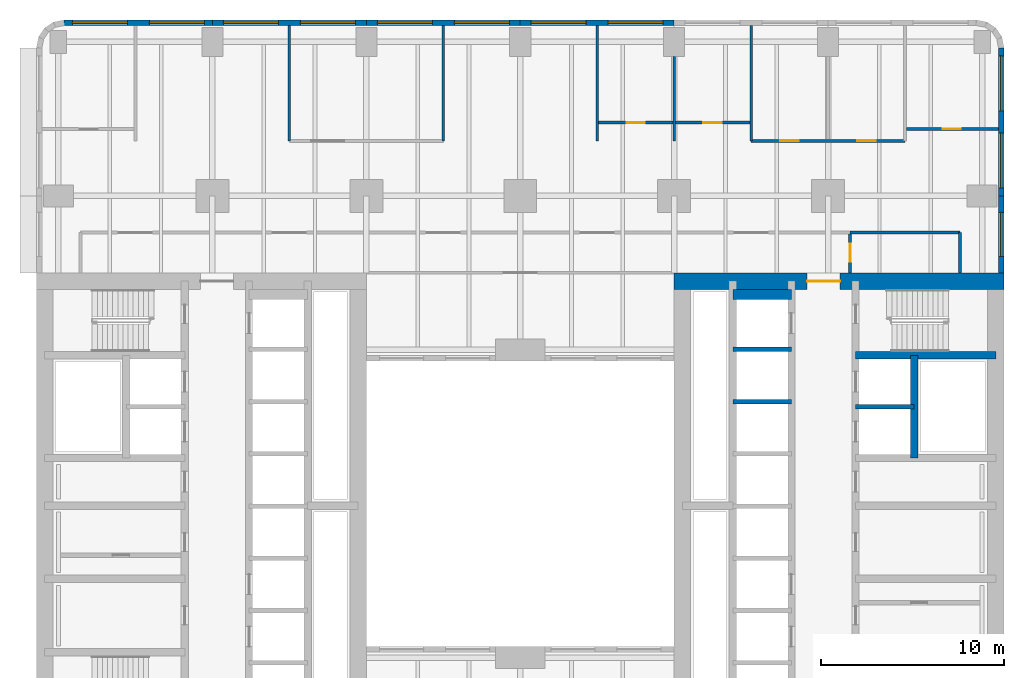
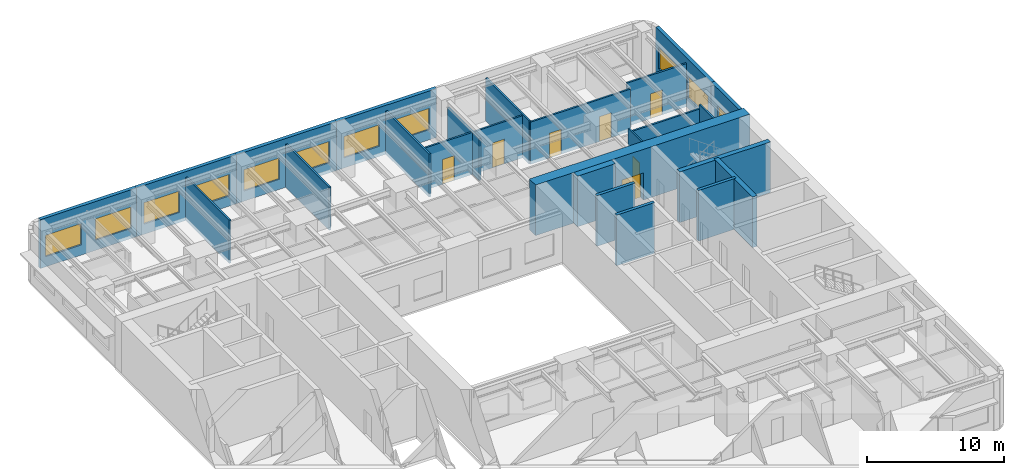
# One storey, part 7 of 14: 25 walls, 11 windows, 7 doors, 18 openings.
"""IFC4 building model written with IfcOpenShell, lengths in metres."""

from ifc_helpers import new_model, si_unit, direction, frame, frame_2d, origin, place, context, subcontext, project, spatial, rectangle, extrude, material, layer, layer_set, type_object, element, fill, save


model = new_model("IFC4")

# Units and contexts
model_context = context("Model", 3, precision=1e-05, world=origin(), true_north=direction((0.0, 1.0)))
body_context = subcontext(model_context, "Body", "Model", "MODEL_VIEW")
ifc_project = project(units=[si_unit("LENGTHUNIT", "METRE"), si_unit("AREAUNIT", "SQUARE_METRE"), si_unit("VOLUMEUNIT", "CUBIC_METRE"), si_unit("PLANEANGLEUNIT", "RADIAN"), si_unit("MASSUNIT", "GRAM", prefix="KILO")], contexts=[model_context])

# Site, building, storey
site_placement = place(None, origin())
site = spatial("IfcSite", under=ifc_project, at=site_placement, CompositionType="ELEMENT")
building_placement = place(site_placement, origin())
building = spatial("IfcBuilding", under=site, at=building_placement, Name="Claustro Exchange Tower", CompositionType="ELEMENT")
storey_placement = place(building_placement, frame((0.0, 0.0, 41.39990234375)))
storey = spatial("IfcBuildingStorey", under=building, at=storey_placement, Name="L09", CompositionType="ELEMENT", Elevation=41.39990234375)

# Walls
ifc_material_1 = material(Name="Gypsum board on steel studs", Category="steel")
ifc_layer_1 = layer(ifc_material_1, 0.14990234375)
ifc_layer_set_1 = layer_set([ifc_layer_1], Name="Gypsum board on steel studs")
wall_type_1 = type_object("IfcWallType", Name="P1 150 plasterboard partition", PredefinedType="PARTITIONING", material=ifc_layer_set_1)
for number, where, z_axis, x_axis, name in (
    (1, (12.60009765625, 45.0, 0.0), (0.0, 0.0, 1.0), (0.0, 1.0, 0.0), "Partition P1 L09"),
    (2, (21.0, 45.0, 0.0), (0.0, 0.0, 1.0), (0.0, 1.0, 0.0), "Partition P1 L09"),
):
    element("IfcWall", number, at=place(storey_placement, frame(where, z_axis=z_axis, x_axis=x_axis)), inside=storey, type_object=wall_type_1, Name=name, PredefinedType="PARTITIONING", context=body_context, shape_type="SweptSolid", body=[
        extrude(rectangle(XDim=6.302001953125, YDim=0.14990234375, at=frame_2d((3.15087890625, 0.0))), origin(), (0.0, 0.0, 1.0), 3.840087890625),
    ])

# Wall, opening, door
wall_1_placement = place(storey_placement, frame((29.47412109375, 46.0, 0.0), z_axis=(0.0, 0.0, 1.0), x_axis=(1.0, 0.0, 0.0)))
wall_1 = element("IfcWall", 3, at=wall_1_placement, inside=storey, type_object=wall_type_1, Name="Partition P1 L09", PredefinedType="PARTITIONING", context=body_context, shape_type="SweptSolid", body=[
    extrude(rectangle(XDim=4.0517578125, YDim=0.14990234375, at=frame_2d((2.02587890625, 0.0))), origin(), (0.0, 0.0, 1.0), 3.739990234375),
])
opening_1_placement = place(wall_1_placement, frame((1.52587890625, 0.0, 0.0)))
opening_1 = element("IfcOpeningElement", 4, at=opening_1_placement, cuts=wall_1, Name="Opening D1", PredefinedType="OPENING", context=body_context, shape_type="SweptSolid", body=[
    extrude(rectangle(XDim=1.0, YDim=2.199951171875, at=frame_2d((0.5, 1.10009765625))), frame((0.0, 0.0849609375, 0.0), z_axis=(0.0, -1.0, 0.0), x_axis=(1.0, 0.0, 0.0)), (0.0, 0.0, 1.0), 0.169921875),
])
ifc_material_2 = material(Name="Timber door, oak veneer", Category="wood")
door_type_1 = type_object("IfcDoorType", Name="D1 1000 x 2200 single door", OperationType="SINGLE_SWING_LEFT", PredefinedType="DOOR", material=ifc_material_2)
door_1_placement = place(opening_1_placement, origin())
door_1 = element("IfcDoor", 5, at=door_1_placement, inside=storey, type_object=door_type_1, Name="Door D1 L09", OperationType="SINGLE_SWING_RIGHT", OverallHeight=2.199951171875, OverallWidth=1.0, PredefinedType="DOOR", context=body_context, shape_type="SweptSolid", body=[
    extrude(rectangle(XDim=1.0, YDim=2.199951171875, at=frame_2d((0.5, 1.10009765625))), frame((0.0, 0.02490234375, 0.0), z_axis=(0.0, -1.0, 0.0), x_axis=(1.0, 0.0, 0.0)), (0.0, 0.0, 1.0), 0.050048828125),
])
fill(opening_1, door_1)

wall_2_placement = place(storey_placement, frame((33.674072265625, 46.0, 0.0), z_axis=(0.0, 0.0, 1.0), x_axis=(1.0, 0.0, 0.0)))
wall_2 = element("IfcWall", 6, at=wall_2_placement, inside=storey, type_object=wall_type_1, Name="Partition P1 L09", PredefinedType="PARTITIONING", context=body_context, shape_type="SweptSolid", body=[
    extrude(rectangle(XDim=4.052001953125, YDim=0.14990234375, at=frame_2d((2.02587890625, 0.0))), origin(), (0.0, 0.0, 1.0), 3.739990234375),
])
opening_2_placement = place(wall_2_placement, frame((1.52587890625, 0.0, 0.0)))
opening_2 = element("IfcOpeningElement", 7, at=opening_2_placement, cuts=wall_2, Name="Opening D1", PredefinedType="OPENING", context=body_context, shape_type="SweptSolid", body=[
    extrude(rectangle(XDim=1.0, YDim=2.199951171875, at=frame_2d((0.5, 1.10009765625))), frame((0.0, 0.0849609375, 0.0), z_axis=(0.0, -1.0, 0.0), x_axis=(1.0, 0.0, 0.0)), (0.0, 0.0, 1.0), 0.169921875),
])
door_2_placement = place(opening_2_placement, origin())
door_2 = element("IfcDoor", 8, at=door_2_placement, inside=storey, type_object=door_type_1, Name="Door D1 L09", OperationType="SINGLE_SWING_RIGHT", OverallHeight=2.199951171875, OverallWidth=1.0, PredefinedType="DOOR", context=body_context, shape_type="SweptSolid", body=[
    extrude(rectangle(XDim=1.0, YDim=2.199951171875, at=frame_2d((0.5, 1.10009765625))), frame((0.0, 0.02490234375, 0.0), z_axis=(0.0, -1.0, 0.0), x_axis=(1.0, 0.0, 0.0)), (0.0, 0.0, 1.0), 0.050048828125),
])
fill(opening_2, door_2)

wall_3_placement = place(storey_placement, frame((46.27392578125, 45.64990234375, 0.0), z_axis=(0.0, 0.0, 1.0), x_axis=(1.0, 0.0, 0.0)))
wall_3 = element("IfcWall", 9, at=wall_3_placement, inside=storey, type_object=wall_type_1, Name="Partition P1 L09", PredefinedType="PARTITIONING", context=body_context, shape_type="SweptSolid", body=[
    extrude(rectangle(XDim=5.028076171875, YDim=0.14990234375, at=frame_2d((2.51416015625, 0.0))), origin(), (0.0, 0.0, 1.0), 3.840087890625),
])
opening_3_placement = place(wall_3_placement, frame((1.97607421875, 0.0, 0.0)))
opening_3 = element("IfcOpeningElement", 10, at=opening_3_placement, cuts=wall_3, Name="Opening D1", PredefinedType="OPENING", context=body_context, shape_type="SweptSolid", body=[
    extrude(rectangle(XDim=1.0, YDim=2.199951171875, at=frame_2d((0.5, 1.10009765625))), frame((0.0, 0.0849609375, 0.0), z_axis=(0.0, -1.0, 0.0), x_axis=(1.0, 0.0, 0.0)), (0.0, 0.0, 1.0), 0.169921875),
])
door_3_placement = place(opening_3_placement, origin())
door_3 = element("IfcDoor", 11, at=door_3_placement, inside=storey, type_object=door_type_1, Name="Door D1 L09", OperationType="SINGLE_SWING_LEFT", OverallHeight=2.199951171875, OverallWidth=1.0, PredefinedType="DOOR", context=body_context, shape_type="SweptSolid", body=[
    extrude(rectangle(XDim=1.0, YDim=2.199951171875, at=frame_2d((0.5, 1.10009765625))), frame((0.0, 0.02490234375, 0.0), z_axis=(0.0, -1.0, 0.0), x_axis=(1.0, 0.0, 0.0)), (0.0, 0.0, 1.0), 0.050048828125),
])
fill(opening_3, door_3)

# Wall, openings, doors
wall_4_placement = place(storey_placement, frame((37.800048828125, 45.0, 0.0), z_axis=(0.0, 0.0, 1.0), x_axis=(1.0, 0.0, 0.0)))
wall_4 = element("IfcWall", 12, at=wall_4_placement, inside=storey, type_object=wall_type_1, Name="Partition P1 L09", PredefinedType="PARTITIONING", context=body_context, shape_type="SweptSolid", body=[
    extrude(rectangle(XDim=8.39990234375, YDim=0.14990234375, at=frame_2d((4.199951171875, 0.0))), origin(), (0.0, 0.0, 1.0), 3.739990234375),
])
opening_4_placement = place(wall_4_placement, frame((1.60009765625, 0.0, 0.0)))
opening_4 = element("IfcOpeningElement", 13, at=opening_4_placement, cuts=wall_4, Name="Opening D1", PredefinedType="OPENING", context=body_context, shape_type="SweptSolid", body=[
    extrude(rectangle(XDim=1.0, YDim=2.199951171875, at=frame_2d((0.5, 1.10009765625))), frame((0.0, 0.0849609375, 0.0), z_axis=(0.0, -1.0, 0.0), x_axis=(1.0, 0.0, 0.0)), (0.0, 0.0, 1.0), 0.169921875),
])
opening_5_placement = place(wall_4_placement, frame((5.800048828125, 0.0, 0.0)))
opening_5 = element("IfcOpeningElement", 14, at=opening_5_placement, cuts=wall_4, Name="Opening D1", PredefinedType="OPENING", context=body_context, shape_type="SweptSolid", body=[
    extrude(rectangle(XDim=1.0, YDim=2.199951171875, at=frame_2d((0.5, 1.10009765625))), frame((0.0, 0.0849609375, 0.0), z_axis=(0.0, -1.0, 0.0), x_axis=(1.0, 0.0, 0.0)), (0.0, 0.0, 1.0), 0.169921875),
])
door_4_placement = place(opening_4_placement, origin())
door_4 = element("IfcDoor", 15, at=door_4_placement, inside=storey, type_object=door_type_1, Name="Door D1 L09", OperationType="SINGLE_SWING_LEFT", OverallHeight=2.199951171875, OverallWidth=1.0, PredefinedType="DOOR", context=body_context, shape_type="SweptSolid", body=[
    extrude(rectangle(XDim=1.0, YDim=2.199951171875, at=frame_2d((0.5, 1.10009765625))), frame((0.0, 0.02490234375, 0.0), z_axis=(0.0, -1.0, 0.0), x_axis=(1.0, 0.0, 0.0)), (0.0, 0.0, 1.0), 0.050048828125),
])
fill(opening_4, door_4)
door_5_placement = place(opening_5_placement, origin())
door_5 = element("IfcDoor", 16, at=door_5_placement, inside=storey, type_object=door_type_1, Name="Door D1 L09", OperationType="SINGLE_SWING_LEFT", OverallHeight=2.199951171875, OverallWidth=1.0, PredefinedType="DOOR", context=body_context, shape_type="SweptSolid", body=[
    extrude(rectangle(XDim=1.0, YDim=2.199951171875, at=frame_2d((0.5, 1.10009765625))), frame((0.0, 0.02490234375, 0.0), z_axis=(0.0, -1.0, 0.0), x_axis=(1.0, 0.0, 0.0)), (0.0, 0.0, 1.0), 0.050048828125),
])
fill(opening_5, door_5)

# Walls
wall_5_placement = place(storey_placement, frame((29.39990234375, 45.0, 0.0), z_axis=(0.0, 0.0, 1.0), x_axis=(0.0, 1.0, 0.0)))
element("IfcWall", 17, at=wall_5_placement, inside=storey, type_object=wall_type_1, Name="Partition P1 L09", PredefinedType="PARTITIONING", context=body_context, shape_type="SweptSolid", body=[
    extrude(rectangle(XDim=6.302001953125, YDim=0.14990234375, at=frame_2d((3.15087890625, 0.0))), origin(), (0.0, 0.0, 1.0), 3.840087890625),
])
wall_6_placement = place(storey_placement, frame((33.60009765625, 45.0, 0.0), z_axis=(0.0, 0.0, 1.0), x_axis=(0.0, 1.0, 0.0)))
element("IfcWall", 18, at=wall_6_placement, inside=storey, type_object=wall_type_1, Name="Partition P1 L09", PredefinedType="PARTITIONING", context=body_context, shape_type="SweptSolid", body=[
    extrude(rectangle(XDim=4.60107421875, YDim=0.14990234375, at=frame_2d((2.300537109375, 0.0))), origin(), (0.0, 0.0, 1.0), 3.739990234375),
])
wall_7_placement = place(storey_placement, frame((37.800048828125, 45.0, 0.0), z_axis=(0.0, 0.0, 1.0), x_axis=(0.0, 1.0, 0.0)))
element("IfcWall", 19, at=wall_7_placement, inside=storey, type_object=wall_type_1, Name="Partition P1 L09", PredefinedType="PARTITIONING", context=body_context, shape_type="SweptSolid", body=[
    extrude(rectangle(XDim=6.302001953125, YDim=0.14990234375, at=frame_2d((3.15087890625, 0.0))), origin(), (0.0, 0.0, 1.0), 3.840087890625),
])

# Wall, opening, door
wall_8_placement = place(storey_placement, frame((43.199951171875, 37.800048828125, 0.0), z_axis=(0.0, 0.0, 1.0), x_axis=(0.0, 1.0, 0.0)))
wall_8 = element("IfcWall", 20, at=wall_8_placement, inside=storey, type_object=wall_type_1, Name="Partition P1 L09", PredefinedType="PARTITIONING", context=body_context, shape_type="SweptSolid", body=[
    extrude(rectangle(XDim=2.1259765625, YDim=0.14990234375, at=frame_2d((1.06298828125, 0.0))), origin(), (0.0, 0.0, 1.0), 4.340087890625),
])
opening_6_placement = place(wall_8_placement, frame((0.60009765625, 0.0, 0.0)))
opening_6 = element("IfcOpeningElement", 21, at=opening_6_placement, cuts=wall_8, Name="Opening D1", PredefinedType="OPENING", context=body_context, shape_type="SweptSolid", body=[
    extrude(rectangle(XDim=1.0, YDim=2.199951171875, at=frame_2d((0.5, 1.10009765625))), frame((0.0, 0.0849609375, 0.0), z_axis=(0.0, -1.0, 0.0), x_axis=(1.0, 0.0, 0.0)), (0.0, 0.0, 1.0), 0.169921875),
])
door_6_placement = place(opening_6_placement, frame((1.0, 0.0, 0.0), z_axis=(0.0, 0.0, 1.0), x_axis=(-1.0, 0.0, 0.0)))
door_6 = element("IfcDoor", 22, at=door_6_placement, inside=storey, type_object=door_type_1, Name="Door D1 L09", OperationType="SINGLE_SWING_RIGHT", OverallHeight=2.199951171875, OverallWidth=1.0, PredefinedType="DOOR", context=body_context, shape_type="SweptSolid", body=[
    extrude(rectangle(XDim=1.0, YDim=2.199951171875, at=frame_2d((0.5, 1.10009765625))), frame((0.0, 0.02490234375, 0.0), z_axis=(0.0, -1.0, 0.0), x_axis=(1.0, 0.0, 0.0)), (0.0, 0.0, 1.0), 0.050048828125),
])
fill(opening_6, door_6)

# Walls
wall_9_placement = place(storey_placement, frame((43.197998046875, 40.0, 0.0), z_axis=(0.0, 0.0, 1.0), x_axis=(1.0, 0.0, 0.0)))
element("IfcWall", 23, at=wall_9_placement, inside=storey, type_object=wall_type_1, Name="Partition P1 L09", PredefinedType="PARTITIONING", context=body_context, shape_type="SweptSolid", body=[
    extrude(rectangle(XDim=6.001953125, YDim=0.14990234375, at=frame_2d((3.0009765625, 0.0))), origin(), (0.0, 0.0, 1.0), 3.97998046875),
])
wall_10_placement = place(storey_placement, frame((49.199951171875, 37.800048828125, 0.0), z_axis=(0.0, 0.0, 1.0), x_axis=(0.0, 1.0, 0.0)))
element("IfcWall", 24, at=wall_10_placement, inside=storey, type_object=wall_type_1, Name="Partition P1 L09", PredefinedType="PARTITIONING", context=body_context, shape_type="SweptSolid", body=[
    extrude(rectangle(XDim=2.199951171875, YDim=0.14990234375, at=frame_2d((1.10009765625, 0.0))), origin(), (0.0, 0.0, 1.0), 4.340087890625),
])

# Wall, openings, windows
ifc_material_3 = material(Name="Concrete HA-40 (C40/50), precast, white cement, acid-etched", Category="concrete")
ifc_layer_2 = layer(ifc_material_3, 0.300048828125)
ifc_layer_set_2 = layer_set([ifc_layer_2], Name="Concrete HA-40 (C40/50), precast, white cement, acid-etched")
wall_type_2 = type_object("IfcWallType", Name="PC1 300 precast concrete pier panel", PredefinedType="SOLIDWALL", material=ifc_layer_set_2)
wall_11_placement = place(storey_placement, frame((0.314697265625, 51.449951171875, 0.0), z_axis=(0.0, 0.0, 1.0), x_axis=(1.0, 0.0, 0.0)))
wall_11 = element("IfcWall", 25, at=wall_11_placement, inside=storey, type_object=wall_type_2, Name="Precast pier panel PC1 L09", PredefinedType="SOLIDWALL", context=body_context, shape_type="SweptSolid", body=[
    extrude(rectangle(XDim=8.085205078125, YDim=0.300048828125, at=frame_2d((4.04248046875, 0.0))), origin(), (0.0, 0.0, 1.0), 4.340087890625),
])
opening_7_placement = place(wall_11_placement, frame((0.442626953125, 0.0, 0.89990234375)))
opening_7 = element("IfcOpeningElement", 26, at=opening_7_placement, cuts=wall_11, Name="Opening W1", PredefinedType="OPENING", context=body_context, shape_type="SweptSolid", body=[
    extrude(rectangle(XDim=3.0, YDim=1.89990234375, at=frame_2d((1.5, 0.949951171875))), frame((0.0, 0.159912109375, 0.0), z_axis=(0.0, -1.0, 0.0), x_axis=(1.0, 0.0, 0.0)), (0.0, 0.0, 1.0), 0.320068359375),
])
opening_8_placement = place(wall_11_placement, frame((4.642578125, 0.0, 0.89990234375)))
opening_8 = element("IfcOpeningElement", 27, at=opening_8_placement, cuts=wall_11, Name="Opening W1", PredefinedType="OPENING", context=body_context, shape_type="SweptSolid", body=[
    extrude(rectangle(XDim=3.0, YDim=1.89990234375, at=frame_2d((1.5, 0.949951171875))), frame((0.0, 0.159912109375, 0.0), z_axis=(0.0, -1.0, 0.0), x_axis=(1.0, 0.0, 0.0)), (0.0, 0.0, 1.0), 0.320068359375),
])
ifc_material_4 = material(Name="Aluminium frame, clear double glazing", Category="aluminium")
window_type_1 = type_object("IfcWindowType", Name="W1 3000 x 1900 window", PartitioningType="SINGLE_PANEL", PredefinedType="WINDOW", material=ifc_material_4)
window_1_placement = place(opening_7_placement, origin())
window_1 = element("IfcWindow", 28, at=window_1_placement, inside=storey, type_object=window_type_1, Name="Window W1 L09", OverallHeight=1.89990234375, OverallWidth=3.0, PartitioningType="SINGLE_PANEL", PredefinedType="WINDOW", context=body_context, shape_type="SweptSolid", body=[
    extrude(rectangle(XDim=3.0, YDim=1.89990234375, at=frame_2d((1.5, 0.949951171875))), frame((0.0, 0.030029296875, 0.0), z_axis=(0.0, -1.0, 0.0), x_axis=(1.0, 0.0, 0.0)), (0.0, 0.0, 1.0), 0.06005859375),
])
fill(opening_7, window_1)
window_2_placement = place(opening_8_placement, origin())
window_2 = element("IfcWindow", 29, at=window_2_placement, inside=storey, type_object=window_type_1, Name="Window W1 L09", OverallHeight=1.89990234375, OverallWidth=3.0, PartitioningType="SINGLE_PANEL", PredefinedType="WINDOW", context=body_context, shape_type="SweptSolid", body=[
    extrude(rectangle(XDim=3.0, YDim=1.89990234375, at=frame_2d((1.5, 0.949951171875))), frame((0.0, 0.030029296875, 0.0), z_axis=(0.0, -1.0, 0.0), x_axis=(1.0, 0.0, 0.0)), (0.0, 0.0, 1.0), 0.06005859375),
])
fill(opening_8, window_2)

wall_12_placement = place(storey_placement, frame((8.39990234375, 51.449951171875, 0.0), z_axis=(0.0, 0.0, 1.0), x_axis=(1.0, 0.0, 0.0)))
wall_12 = element("IfcWall", 30, at=wall_12_placement, inside=storey, type_object=wall_type_2, Name="Precast pier panel PC1 L09", PredefinedType="SOLIDWALL", context=body_context, shape_type="SweptSolid", body=[
    extrude(rectangle(XDim=8.400146484375, YDim=0.300048828125, at=frame_2d((4.2001953125, 0.0))), origin(), (0.0, 0.0, 1.0), 4.340087890625),
])
opening_9_placement = place(wall_12_placement, frame((0.60009765625, 0.0, 0.89990234375)))
opening_9 = element("IfcOpeningElement", 31, at=opening_9_placement, cuts=wall_12, Name="Opening W1", PredefinedType="OPENING", context=body_context, shape_type="SweptSolid", body=[
    extrude(rectangle(XDim=3.0, YDim=1.89990234375, at=frame_2d((1.5, 0.949951171875))), frame((0.0, 0.159912109375, 0.0), z_axis=(0.0, -1.0, 0.0), x_axis=(1.0, 0.0, 0.0)), (0.0, 0.0, 1.0), 0.320068359375),
])
opening_10_placement = place(wall_12_placement, frame((4.800048828125, 0.0, 0.89990234375)))
opening_10 = element("IfcOpeningElement", 32, at=opening_10_placement, cuts=wall_12, Name="Opening W1", PredefinedType="OPENING", context=body_context, shape_type="SweptSolid", body=[
    extrude(rectangle(XDim=3.0, YDim=1.89990234375, at=frame_2d((1.5, 0.949951171875))), frame((0.0, 0.159912109375, 0.0), z_axis=(0.0, -1.0, 0.0), x_axis=(1.0, 0.0, 0.0)), (0.0, 0.0, 1.0), 0.320068359375),
])
window_3_placement = place(opening_9_placement, origin())
window_3 = element("IfcWindow", 33, at=window_3_placement, inside=storey, type_object=window_type_1, Name="Window W1 L09", OverallHeight=1.89990234375, OverallWidth=3.0, PartitioningType="SINGLE_PANEL", PredefinedType="WINDOW", context=body_context, shape_type="SweptSolid", body=[
    extrude(rectangle(XDim=3.0, YDim=1.89990234375, at=frame_2d((1.5, 0.949951171875))), frame((0.0, 0.030029296875, 0.0), z_axis=(0.0, -1.0, 0.0), x_axis=(1.0, 0.0, 0.0)), (0.0, 0.0, 1.0), 0.06005859375),
])
fill(opening_9, window_3)
window_4_placement = place(opening_10_placement, origin())
window_4 = element("IfcWindow", 34, at=window_4_placement, inside=storey, type_object=window_type_1, Name="Window W1 L09", OverallHeight=1.89990234375, OverallWidth=3.0, PartitioningType="SINGLE_PANEL", PredefinedType="WINDOW", context=body_context, shape_type="SweptSolid", body=[
    extrude(rectangle(XDim=3.0, YDim=1.89990234375, at=frame_2d((1.5, 0.949951171875))), frame((0.0, 0.030029296875, 0.0), z_axis=(0.0, -1.0, 0.0), x_axis=(1.0, 0.0, 0.0)), (0.0, 0.0, 1.0), 0.06005859375),
])
fill(opening_10, window_4)

wall_13_placement = place(storey_placement, frame((16.800048828125, 51.449951171875, 0.0), z_axis=(0.0, 0.0, 1.0), x_axis=(1.0, 0.0, 0.0)))
wall_13 = element("IfcWall", 35, at=wall_13_placement, inside=storey, type_object=wall_type_2, Name="Precast pier panel PC1 L09", PredefinedType="SOLIDWALL", context=body_context, shape_type="SweptSolid", body=[
    extrude(rectangle(XDim=8.39990234375, YDim=0.300048828125, at=frame_2d((4.199951171875, 0.0))), origin(), (0.0, 0.0, 1.0), 4.340087890625),
])
opening_11_placement = place(wall_13_placement, frame((0.60009765625, 0.0, 0.89990234375)))
opening_11 = element("IfcOpeningElement", 36, at=opening_11_placement, cuts=wall_13, Name="Opening W1", PredefinedType="OPENING", context=body_context, shape_type="SweptSolid", body=[
    extrude(rectangle(XDim=3.0, YDim=1.89990234375, at=frame_2d((1.5, 0.949951171875))), frame((0.0, 0.159912109375, 0.0), z_axis=(0.0, -1.0, 0.0), x_axis=(1.0, 0.0, 0.0)), (0.0, 0.0, 1.0), 0.320068359375),
])
opening_12_placement = place(wall_13_placement, frame((4.800048828125, 0.0, 0.89990234375)))
opening_12 = element("IfcOpeningElement", 37, at=opening_12_placement, cuts=wall_13, Name="Opening W1", PredefinedType="OPENING", context=body_context, shape_type="SweptSolid", body=[
    extrude(rectangle(XDim=3.0, YDim=1.89990234375, at=frame_2d((1.5, 0.949951171875))), frame((0.0, 0.159912109375, 0.0), z_axis=(0.0, -1.0, 0.0), x_axis=(1.0, 0.0, 0.0)), (0.0, 0.0, 1.0), 0.320068359375),
])
window_5_placement = place(opening_11_placement, origin())
window_5 = element("IfcWindow", 38, at=window_5_placement, inside=storey, type_object=window_type_1, Name="Window W1 L09", OverallHeight=1.89990234375, OverallWidth=3.0, PartitioningType="SINGLE_PANEL", PredefinedType="WINDOW", context=body_context, shape_type="SweptSolid", body=[
    extrude(rectangle(XDim=3.0, YDim=1.89990234375, at=frame_2d((1.5, 0.949951171875))), frame((0.0, 0.030029296875, 0.0), z_axis=(0.0, -1.0, 0.0), x_axis=(1.0, 0.0, 0.0)), (0.0, 0.0, 1.0), 0.06005859375),
])
fill(opening_11, window_5)
window_6_placement = place(opening_12_placement, origin())
window_6 = element("IfcWindow", 39, at=window_6_placement, inside=storey, type_object=window_type_1, Name="Window W1 L09", OverallHeight=1.89990234375, OverallWidth=3.0, PartitioningType="SINGLE_PANEL", PredefinedType="WINDOW", context=body_context, shape_type="SweptSolid", body=[
    extrude(rectangle(XDim=3.0, YDim=1.89990234375, at=frame_2d((1.5, 0.949951171875))), frame((0.0, 0.030029296875, 0.0), z_axis=(0.0, -1.0, 0.0), x_axis=(1.0, 0.0, 0.0)), (0.0, 0.0, 1.0), 0.06005859375),
])
fill(opening_12, window_6)

wall_14_placement = place(storey_placement, frame((25.199951171875, 51.449951171875, 0.0), z_axis=(0.0, 0.0, 1.0), x_axis=(1.0, 0.0, 0.0)))
wall_14 = element("IfcWall", 40, at=wall_14_placement, inside=storey, type_object=wall_type_2, Name="Precast pier panel PC1 L09", PredefinedType="SOLIDWALL", context=body_context, shape_type="SweptSolid", body=[
    extrude(rectangle(XDim=8.400146484375, YDim=0.300048828125, at=frame_2d((4.2001953125, 0.0))), origin(), (0.0, 0.0, 1.0), 4.340087890625),
])
opening_13_placement = place(wall_14_placement, frame((0.60009765625, 0.0, 0.89990234375)))
opening_13 = element("IfcOpeningElement", 41, at=opening_13_placement, cuts=wall_14, Name="Opening W1", PredefinedType="OPENING", context=body_context, shape_type="SweptSolid", body=[
    extrude(rectangle(XDim=3.0, YDim=1.89990234375, at=frame_2d((1.5, 0.949951171875))), frame((0.0, 0.159912109375, 0.0), z_axis=(0.0, -1.0, 0.0), x_axis=(1.0, 0.0, 0.0)), (0.0, 0.0, 1.0), 0.320068359375),
])
opening_14_placement = place(wall_14_placement, frame((4.800048828125, 0.0, 0.89990234375)))
opening_14 = element("IfcOpeningElement", 42, at=opening_14_placement, cuts=wall_14, Name="Opening W1", PredefinedType="OPENING", context=body_context, shape_type="SweptSolid", body=[
    extrude(rectangle(XDim=3.0, YDim=1.89990234375, at=frame_2d((1.5, 0.949951171875))), frame((0.0, 0.159912109375, 0.0), z_axis=(0.0, -1.0, 0.0), x_axis=(1.0, 0.0, 0.0)), (0.0, 0.0, 1.0), 0.320068359375),
])
window_7_placement = place(opening_13_placement, origin())
window_7 = element("IfcWindow", 43, at=window_7_placement, inside=storey, type_object=window_type_1, Name="Window W1 L09", OverallHeight=1.89990234375, OverallWidth=3.0, PartitioningType="SINGLE_PANEL", PredefinedType="WINDOW", context=body_context, shape_type="SweptSolid", body=[
    extrude(rectangle(XDim=3.0, YDim=1.89990234375, at=frame_2d((1.5, 0.949951171875))), frame((0.0, 0.030029296875, 0.0), z_axis=(0.0, -1.0, 0.0), x_axis=(1.0, 0.0, 0.0)), (0.0, 0.0, 1.0), 0.06005859375),
])
fill(opening_13, window_7)
window_8_placement = place(opening_14_placement, origin())
window_8 = element("IfcWindow", 44, at=window_8_placement, inside=storey, type_object=window_type_1, Name="Window W1 L09", OverallHeight=1.89990234375, OverallWidth=3.0, PartitioningType="SINGLE_PANEL", PredefinedType="WINDOW", context=body_context, shape_type="SweptSolid", body=[
    extrude(rectangle(XDim=3.0, YDim=1.89990234375, at=frame_2d((1.5, 0.949951171875))), frame((0.0, 0.030029296875, 0.0), z_axis=(0.0, -1.0, 0.0), x_axis=(1.0, 0.0, 0.0)), (0.0, 0.0, 1.0), 0.06005859375),
])
fill(opening_14, window_8)

wall_15_placement = place(storey_placement, frame((51.449951171875, 50.085205078125, 0.0), z_axis=(0.0, 0.0, 1.0), x_axis=(0.0, -1.0, 0.0)))
wall_15 = element("IfcWall", 45, at=wall_15_placement, inside=storey, type_object=wall_type_2, Name="Precast pier panel PC1 L09", PredefinedType="SOLIDWALL", context=body_context, shape_type="SweptSolid", body=[
    extrude(rectangle(XDim=8.085205078125, YDim=0.300048828125, at=frame_2d((4.04248046875, 0.0))), origin(), (0.0, 0.0, 1.0), 4.340087890625),
])
opening_15_placement = place(wall_15_placement, frame((0.442626953125, 0.0, 0.89990234375)))
opening_15 = element("IfcOpeningElement", 46, at=opening_15_placement, cuts=wall_15, Name="Opening W1", PredefinedType="OPENING", context=body_context, shape_type="SweptSolid", body=[
    extrude(rectangle(XDim=3.0, YDim=1.89990234375, at=frame_2d((1.5, 0.949951171875))), frame((0.0, 0.159912109375, 0.0), z_axis=(0.0, -1.0, 0.0), x_axis=(1.0, 0.0, 0.0)), (0.0, 0.0, 1.0), 0.320068359375),
])
opening_16_placement = place(wall_15_placement, frame((4.642578125, 0.0, 0.89990234375)))
opening_16 = element("IfcOpeningElement", 47, at=opening_16_placement, cuts=wall_15, Name="Opening W1", PredefinedType="OPENING", context=body_context, shape_type="SweptSolid", body=[
    extrude(rectangle(XDim=3.0, YDim=1.89990234375, at=frame_2d((1.5, 0.949951171875))), frame((0.0, 0.159912109375, 0.0), z_axis=(0.0, -1.0, 0.0), x_axis=(1.0, 0.0, 0.0)), (0.0, 0.0, 1.0), 0.320068359375),
])
window_9_placement = place(opening_15_placement, origin())
window_9 = element("IfcWindow", 48, at=window_9_placement, inside=storey, type_object=window_type_1, Name="Window W1 L09", OverallHeight=1.89990234375, OverallWidth=3.0, PartitioningType="SINGLE_PANEL", PredefinedType="WINDOW", context=body_context, shape_type="SweptSolid", body=[
    extrude(rectangle(XDim=3.0, YDim=1.89990234375, at=frame_2d((1.5, 0.949951171875))), frame((0.0, 0.030029296875, 0.0), z_axis=(0.0, -1.0, 0.0), x_axis=(1.0, 0.0, 0.0)), (0.0, 0.0, 1.0), 0.06005859375),
])
fill(opening_15, window_9)
window_10_placement = place(opening_16_placement, origin())
window_10 = element("IfcWindow", 49, at=window_10_placement, inside=storey, type_object=window_type_1, Name="Window W1 L09", OverallHeight=1.89990234375, OverallWidth=3.0, PartitioningType="SINGLE_PANEL", PredefinedType="WINDOW", context=body_context, shape_type="SweptSolid", body=[
    extrude(rectangle(XDim=3.0, YDim=1.89990234375, at=frame_2d((1.5, 0.949951171875))), frame((0.0, 0.030029296875, 0.0), z_axis=(0.0, -1.0, 0.0), x_axis=(1.0, 0.0, 0.0)), (0.0, 0.0, 1.0), 0.06005859375),
])
fill(opening_16, window_10)

# Wall, opening, window
wall_16_placement = place(storey_placement, frame((51.449951171875, 42.0, 0.0), z_axis=(0.0, 0.0, 1.0), x_axis=(0.0, -1.0, 0.0)))
wall_16 = element("IfcWall", 50, at=wall_16_placement, inside=storey, type_object=wall_type_2, Name="Precast pier panel PC1 L09", PredefinedType="SOLIDWALL", context=body_context, shape_type="SweptSolid", body=[
    extrude(rectangle(XDim=4.199951171875, YDim=0.300048828125, at=frame_2d((2.10009765625, 0.0))), origin(), (0.0, 0.0, 1.0), 4.340087890625),
])
opening_17_placement = place(wall_16_placement, frame((0.89990234375, 0.0, 0.89990234375)))
opening_17 = element("IfcOpeningElement", 51, at=opening_17_placement, cuts=wall_16, Name="Opening W2", PredefinedType="OPENING", context=body_context, shape_type="SweptSolid", body=[
    extrude(rectangle(XDim=2.39990234375, YDim=1.89990234375, at=frame_2d((1.199951171875, 0.949951171875))), frame((0.0, 0.159912109375, 0.0), z_axis=(0.0, -1.0, 0.0), x_axis=(1.0, 0.0, 0.0)), (0.0, 0.0, 1.0), 0.320068359375),
])
ifc_material_5 = material(Name="Aluminium frame, clear double glazing", Category="aluminium")
window_type_2 = type_object("IfcWindowType", Name="W2 2400 x 1900 window", PartitioningType="SINGLE_PANEL", PredefinedType="WINDOW", material=ifc_material_5)
window_11_placement = place(opening_17_placement, origin())
window_11 = element("IfcWindow", 52, at=window_11_placement, inside=storey, type_object=window_type_2, Name="Window W2 L09", OverallHeight=1.89990234375, OverallWidth=2.39990234375, PartitioningType="SINGLE_PANEL", PredefinedType="WINDOW", context=body_context, shape_type="SweptSolid", body=[
    extrude(rectangle(XDim=2.39990234375, YDim=1.89990234375, at=frame_2d((1.199951171875, 0.949951171875))), frame((0.0, 0.030029296875, 0.0), z_axis=(0.0, -1.0, 0.0), x_axis=(1.0, 0.0, 0.0)), (0.0, 0.0, 1.0), 0.06005859375),
])
fill(opening_17, window_11)

# Wall, opening, door
ifc_material_6 = material(Name="Concrete HA-70 (C70/85)", Category="concrete")
ifc_layer_3 = layer(ifc_material_6, 0.89990234375)
ifc_layer_set_3 = layer_set([ifc_layer_3], Name="Concrete HA-70 (C70/85)")
wall_type_3 = type_object("IfcWallType", Name="SW1 900 core shear wall", PredefinedType="SHEAR", material=ifc_layer_set_3)
wall_17_placement = place(storey_placement, frame((33.60009765625, 37.35009765625, 0.0), z_axis=(0.0, 0.0, 1.0), x_axis=(1.0, 0.0, 0.0)))
wall_17 = element("IfcWall", 53, at=wall_17_placement, inside=storey, type_object=wall_type_3, Name="Core wall SW1 E core N face L09", PredefinedType="SHEAR", context=body_context, shape_type="SweptSolid", body=[
    extrude(rectangle(XDim=18.0, YDim=0.89990234375, at=frame_2d((9.0, 0.0))), origin(), (0.0, 0.0, 1.0), 4.5),
])
opening_18_placement = place(wall_17_placement, frame((7.25, 0.0, 0.0)))
opening_18 = element("IfcOpeningElement", 54, at=opening_18_placement, cuts=wall_17, Name="Opening D3", PredefinedType="OPENING", context=body_context, shape_type="SweptSolid", body=[
    extrude(rectangle(XDim=1.800048828125, YDim=2.39990234375, at=frame_2d((0.89990234375, 1.199951171875))), frame((0.0, 0.4599609375, 0.0), z_axis=(0.0, -1.0, 0.0), x_axis=(1.0, 0.0, 0.0)), (0.0, 0.0, 1.0), 0.919921875),
])
ifc_material_7 = material(Name="Steel fire door, painted", Category="steel")
door_type_2 = type_object("IfcDoorType", Name="D3 1800 x 2400 fire-rated lobby double door", OperationType="DOUBLE_DOOR_SINGLE_SWING", PredefinedType="DOOR", material=ifc_material_7)
door_7_placement = place(opening_18_placement, frame((1.800048828125, 0.0, 0.0), z_axis=(0.0, 0.0, 1.0), x_axis=(-1.0, 0.0, 0.0)))
door_7 = element("IfcDoor", 55, at=door_7_placement, inside=storey, type_object=door_type_2, Name="Lift lobby door D3 L09", OperationType="DOUBLE_DOOR_SINGLE_SWING", OverallHeight=2.39990234375, OverallWidth=1.800048828125, PredefinedType="DOOR", context=body_context, shape_type="SweptSolid", body=[
    extrude(rectangle(XDim=1.800048828125, YDim=2.39990234375, at=frame_2d((0.89990234375, 1.199951171875))), frame((0.0, 0.02490234375, 0.0), z_axis=(0.0, -1.0, 0.0), x_axis=(1.0, 0.0, 0.0)), (0.0, 0.0, 1.0), 0.050048828125),
])
fill(opening_18, door_7)

# Walls
ifc_material_8 = material(Name="Concrete HA-50 (C50/60)", Category="concrete")
ifc_layer_4 = layer(ifc_material_8, 0.39990234375)
ifc_layer_set_4 = layer_set([ifc_layer_4], Name="Concrete HA-50 (C50/60)")
wall_type_4 = type_object("IfcWallType", Name="SW4 400 internal core wall", PredefinedType="SHEAR", material=ifc_layer_set_4)
wall_18_placement = place(storey_placement, frame((51.14990234375, 33.300048828125, 0.0), z_axis=(0.0, 0.0, 1.0), x_axis=(-1.0, 0.0, 0.0)))
element("IfcWall", 56, at=wall_18_placement, inside=storey, type_object=wall_type_4, Name="Internal core wall SW4 E core L09", PredefinedType="SHEAR", context=body_context, shape_type="SweptSolid", body=[
    extrude(rectangle(XDim=7.64990234375, YDim=0.39990234375, at=frame_2d((3.824951171875, 0.0))), origin(), (0.0, 0.0, 1.0), 4.5),
])
wall_19_placement = place(storey_placement, frame((46.699951171875, 27.699951171875, 0.0), z_axis=(0.0, 0.0, 1.0), x_axis=(0.0, 1.0, 0.0)))
element("IfcWall", 57, at=wall_19_placement, inside=storey, type_object=wall_type_4, Name="Internal core wall SW4 E core L09", PredefinedType="SHEAR", context=body_context, shape_type="SweptSolid", body=[
    extrude(rectangle(XDim=5.60009765625, YDim=0.39990234375, at=frame_2d((2.800048828125, 0.0))), origin(), (0.0, 0.0, 1.0), 4.5),
])
ifc_material_9 = material(Name="Concrete HA-50 (C50/60)", Category="concrete")
ifc_layer_5 = layer(ifc_material_9, 0.25)
ifc_layer_set_5 = layer_set([ifc_layer_5], Name="Concrete HA-50 (C50/60)")
wall_type_5 = type_object("IfcWallType", Name="SW5 250 lift shaft divider wall", PredefinedType="SHEAR", material=ifc_layer_set_5)
for number, where, z_axis, x_axis, name in (
    (58, (46.699951171875, 30.5, 0.0), (0.0, 0.0, 1.0), (-1.0, 0.0, 0.0), "Lift shaft wall E core L09"),
    (59, (40.0, 30.77490234375, 0.0), (0.0, 0.0, 1.0), (-1.0, 0.0, 0.0), "Lift shaft wall E core L09"),
    (60, (40.0, 33.625, 0.0), (0.0, 0.0, 1.0), (-1.0, 0.0, 0.0), "Lift shaft wall E core L09"),
):
    element("IfcWall", number, at=place(storey_placement, frame(where, z_axis=z_axis, x_axis=x_axis)), inside=storey, type_object=wall_type_5, Name=name, PredefinedType="SHEAR", context=body_context, shape_type="SweptSolid", body=[
        extrude(rectangle(XDim=3.199951171875, YDim=0.25, at=frame_2d((1.60009765625, 0.0))), origin(), (0.0, 0.0, 1.0), 4.5),
    ])
ifc_material_10 = material(Name="Concrete HA-50 (C50/60)", Category="concrete")
ifc_layer_6 = layer(ifc_material_10, 0.550048828125)
ifc_layer_set_6 = layer_set([ifc_layer_6], Name="Concrete HA-50 (C50/60)")
wall_type_6 = type_object("IfcWallType", Name="SW6 550 lift shaft end wall", PredefinedType="SHEAR", material=ifc_layer_set_6)
wall_20_placement = place(storey_placement, frame((40.0, 36.625, 0.0), z_axis=(0.0, 0.0, 1.0), x_axis=(-1.0, 0.0, 0.0)))
element("IfcWall", 61, at=wall_20_placement, inside=storey, type_object=wall_type_6, Name="Lift shaft wall E core L09", PredefinedType="SHEAR", context=body_context, shape_type="SweptSolid", body=[
    extrude(rectangle(XDim=3.199951171875, YDim=0.550048828125, at=frame_2d((1.60009765625, 0.0))), origin(), (0.0, 0.0, 1.0), 4.5),
])

save(model, "model.ifc")
